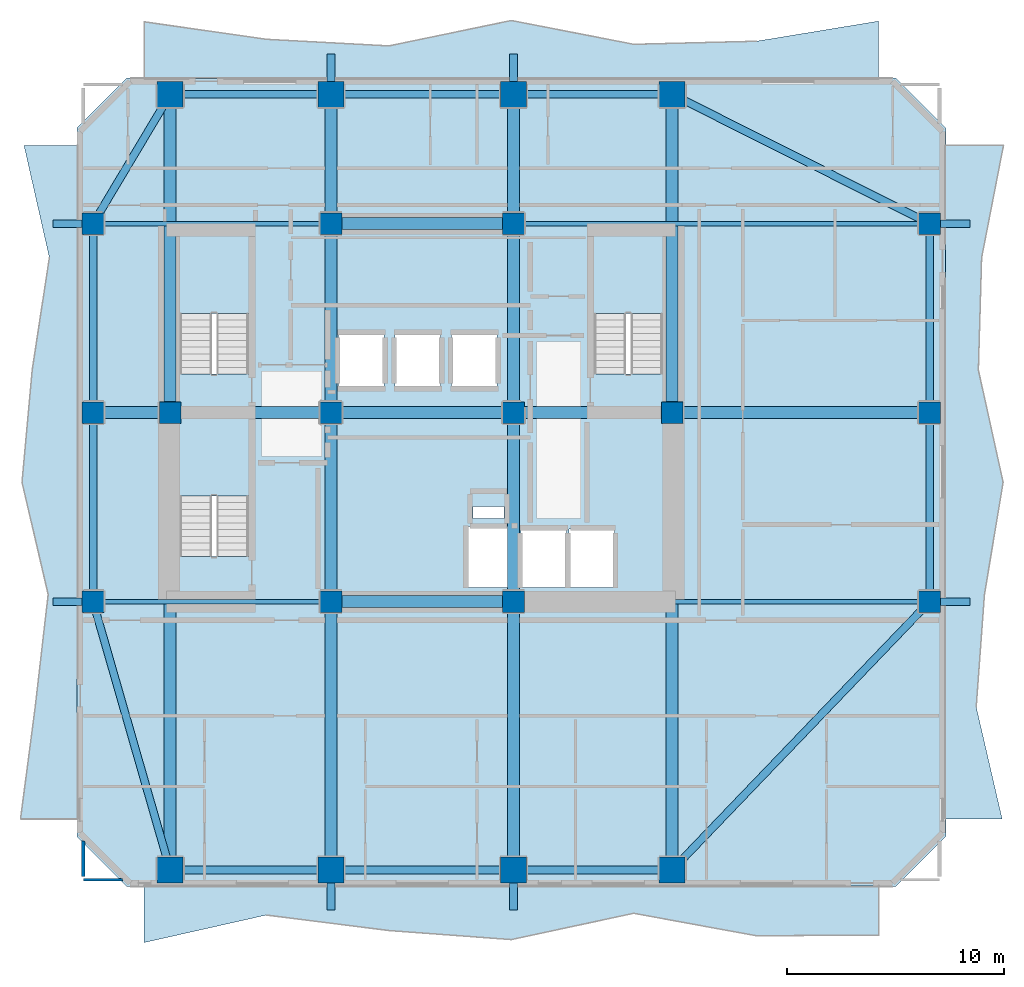
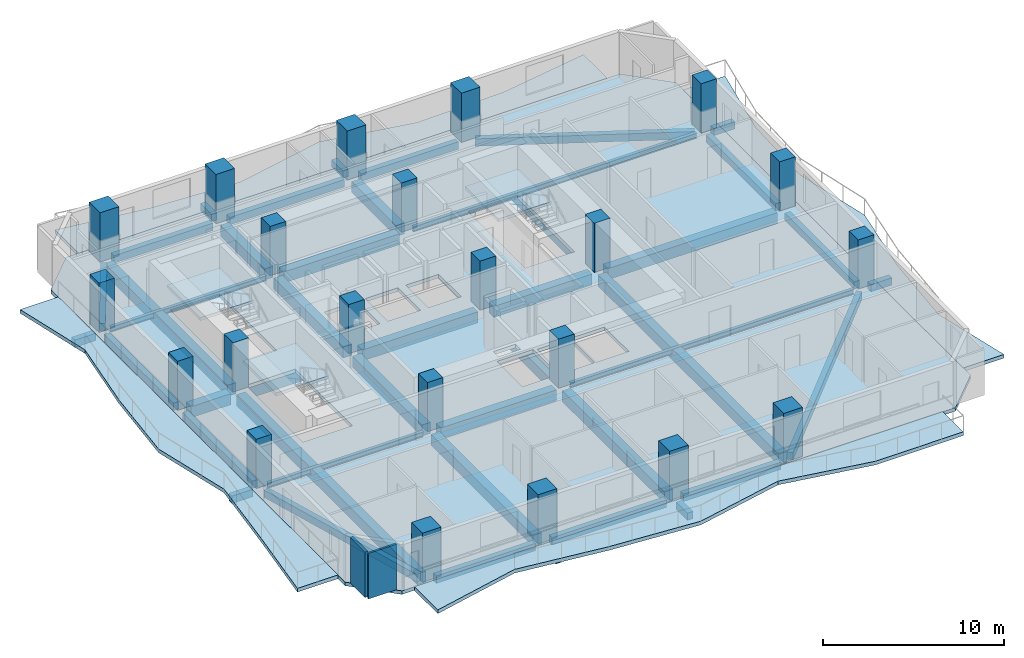
# One storey, part 1 of 9: 45 beams, 22 columns, 8 slabs, 2 walls, 3 elements without a shape of their own.
"""IFC4 building model written with IfcOpenShell, lengths in metres."""

from ifc_helpers import new_model, si_unit, direction, frame, frame_2d, origin, origin_2d, place, context, subcontext, project, spatial, polyline, rectangle, i_section, outline, extrude, material, layer, layer_set, material_profile, profile_set, type_object, element, aggregate, save


model = new_model("IFC4")

# Units and contexts
model_context = context("Model", 3, precision=1e-05, world=origin(), true_north=direction((0.0, 1.0)))
body_context = subcontext(model_context, "Body", "Model", "MODEL_VIEW")
ifc_project = project(units=[si_unit("LENGTHUNIT", "METRE"), si_unit("AREAUNIT", "SQUARE_METRE"), si_unit("VOLUMEUNIT", "CUBIC_METRE"), si_unit("PLANEANGLEUNIT", "RADIAN"), si_unit("MASSUNIT", "GRAM", prefix="KILO")], contexts=[model_context])

# Site, building, storey
site_placement = place(None, origin())
site = spatial("IfcSite", under=ifc_project, at=site_placement, CompositionType="ELEMENT")
building_placement = place(site_placement, origin())
building = spatial("IfcBuilding", under=site, at=building_placement, Name="Solanera Arch Residences", CompositionType="ELEMENT")
storey_placement = place(building_placement, frame((0.0, 0.0, 135.9599609375)))
storey = spatial("IfcBuildingStorey", under=building, at=storey_placement, Name="L39", CompositionType="ELEMENT", Elevation=135.9599609375)

# Columns
ifc_material_1 = material(Name="Concrete C55/67 (f'c = 60 MPa)", Category="concrete")
ifc_material_profile_1 = material_profile(ifc_material_1, rectangle(XDim=1.0, YDim=1.0, at=origin_2d()))
ifc_profile_set_1 = profile_set([ifc_material_profile_1], Name="Concrete C55/67 (f'c = 60 MPa)")
column_type_1 = type_object("IfcColumnType", Name="Structural Column RC-COL-1000X1000", PredefinedType="COLUMN", material=ifc_profile_set_1)
for number, where, z_axis, x_axis, name in (
    (1, (20.800048828125, 22.0, 0.0), (0.0, 0.0, 1.0), (1.0, 0.0, 0.0), "COL-L39-CB-SW"),
    (2, (29.199951171875, 22.0, 0.0), (0.0, 0.0, 1.0), (1.0, 0.0, 0.0), "COL-L39-CB-SE"),
    (3, (20.800048828125, 39.39990234375, 0.0), (0.0, 0.0, 1.0), (1.0, 0.0, 0.0), "COL-L39-CB-NW"),
    (4, (29.199951171875, 39.39990234375, 0.0), (0.0, 0.0, 1.0), (1.0, 0.0, 0.0), "COL-L39-CB-NE"),
    (5, (13.39990234375, 30.699951171875, 0.0), (0.0, 0.0, 1.0), (1.0, 0.0, 0.0), "COL-L39-CB-WW"),
    (6, (36.5, 30.699951171875, 0.0), (0.0, 0.0, 1.0), (1.0, 0.0, 0.0), "COL-L39-CB-EE"),
    (7, (20.800048828125, 30.699951171875, 0.0), (0.0, 0.0, 1.0), (1.0, 0.0, 0.0), "COL-L39-CORE-W"),
    (8, (29.199951171875, 30.699951171875, 0.0), (0.0, 0.0, 1.0), (1.0, 0.0, 0.0), "COL-L39-CORE-E"),
    (9, (9.85009765625, 22.0, 0.0), (0.0, 0.0, 1.0), (1.0, 0.0, 0.0), "COL-L39-TWR-09"),
    (10, (48.35009765625, 22.0, 0.0), (0.0, 0.0, 1.0), (1.0, 0.0, 0.0), "COL-L39-TWR-10"),
    (11, (9.85009765625, 30.699951171875, 0.0), (0.0, 0.0, 1.0), (1.0, 0.0, 0.0), "COL-L39-TWR-11"),
    (12, (48.35009765625, 30.699951171875, 0.0), (0.0, 0.0, 1.0), (1.0, 0.0, 0.0), "COL-L39-TWR-12"),
    (13, (9.85009765625, 39.39990234375, 0.0), (0.0, 0.0, 1.0), (1.0, 0.0, 0.0), "COL-L39-TWR-13"),
    (14, (48.35009765625, 39.39990234375, 0.0), (0.0, 0.0, 1.0), (1.0, 0.0, 0.0), "COL-L39-TWR-14"),
):
    element("IfcColumn", number, at=place(storey_placement, frame(where, z_axis=z_axis, x_axis=x_axis)), inside=storey, type_object=column_type_1, Name=name, PredefinedType="COLUMN", context=body_context, shape_type="SweptSolid", body=[
        extrude(rectangle(XDim=1.0, YDim=1.0, at=origin_2d()), origin(), (0.0, 0.0, 1.0), 3.320068359375),
    ])
ifc_material_2 = material(Name="Concrete C55/67 (f'c = 60 MPa)", Category="concrete")
ifc_material_profile_2 = material_profile(ifc_material_2, rectangle(XDim=1.199951171875, YDim=1.199951171875, at=origin_2d()))
ifc_profile_set_2 = profile_set([ifc_material_profile_2], Name="Concrete C55/67 (f'c = 60 MPa)")
column_type_2 = type_object("IfcColumnType", Name="Structural Column RC-COL-1200X1200", PredefinedType="COLUMN", material=ifc_profile_set_2)
for number, where, z_axis, x_axis, name in (
    (15, (13.39990234375, 9.64990234375, 0.0), (0.0, 0.0, 1.0), (1.0, 0.0, 0.0), "COL-L39-TWR-01"),
    (16, (13.39990234375, 45.35009765625, 0.0), (0.0, 0.0, 1.0), (1.0, 0.0, 0.0), "COL-L39-TWR-02"),
    (17, (20.800048828125, 9.64990234375, 0.0), (0.0, 0.0, 1.0), (1.0, 0.0, 0.0), "COL-L39-TWR-03"),
    (18, (20.800048828125, 45.35009765625, 0.0), (0.0, 0.0, 1.0), (1.0, 0.0, 0.0), "COL-L39-TWR-04"),
    (19, (29.199951171875, 9.64990234375, 0.0), (0.0, 0.0, 1.0), (1.0, 0.0, 0.0), "COL-L39-TWR-05"),
    (20, (29.199951171875, 45.35009765625, 0.0), (0.0, 0.0, 1.0), (1.0, 0.0, 0.0), "COL-L39-TWR-06"),
    (21, (36.5, 9.64990234375, 0.0), (0.0, 0.0, 1.0), (1.0, 0.0, 0.0), "COL-L39-TWR-07"),
    (22, (36.5, 45.35009765625, 0.0), (0.0, 0.0, 1.0), (1.0, 0.0, 0.0), "COL-L39-TWR-08"),
):
    element("IfcColumn", number, at=place(storey_placement, frame(where, z_axis=z_axis, x_axis=x_axis)), inside=storey, type_object=column_type_2, Name=name, PredefinedType="COLUMN", context=body_context, shape_type="SweptSolid", body=[
        extrude(rectangle(XDim=1.199951171875, YDim=1.199951171875, at=origin_2d()), origin(), (0.0, 0.0, 1.0), 3.320068359375),
    ])

# Beams
ifc_material_3 = material(Name="Concrete C40/50 (f'c = 45 MPa)", Category="concrete")
ifc_material_profile_3 = material_profile(ifc_material_3, rectangle(XDim=0.35009765625, YDim=0.5, at=origin_2d()))
ifc_profile_set_3 = profile_set([ifc_material_profile_3], Name="Concrete C40/50 (f'c = 45 MPa)")
beam_type_1 = type_object("IfcBeamType", Name="BM-BALC-RIB", PredefinedType="BEAM", material=ifc_profile_set_3)
for number, where, z_axis, x_axis, name in (
    (23, (20.800048828125, 7.800048828125, -0.5), (0.0, 1.0, 0.0), (-1.0, 0.0, 0.0), "BM-L39-BRIB-S1"),
    (24, (29.199951171875, 7.800048828125, -0.5), (0.0, 1.0, 0.0), (-1.0, 0.0, 0.0), "BM-L39-BRIB-S2"),
    (25, (20.800048828125, 45.949951171875, -0.5), (0.0, 1.0, 0.0), (-1.0, 0.0, 0.0), "BM-L39-BRIB-N1"),
    (26, (29.199951171875, 45.949951171875, -0.5), (0.0, 1.0, 0.0), (-1.0, 0.0, 0.0), "BM-L39-BRIB-N2"),
):
    element("IfcBeam", number, at=place(storey_placement, frame(where, z_axis=z_axis, x_axis=x_axis)), inside=storey, type_object=beam_type_1, Name=name, PredefinedType="BEAM", context=body_context, shape_type="SweptSolid", body=[
        extrude(rectangle(XDim=0.35009765625, YDim=0.5, at=origin_2d()), origin(), (0.0, 0.0, 1.0), 1.25),
    ])
for number, where, z_axis, x_axis, name in (
    (27, (48.85009765625, 22.0, -0.5), (1.0, 0.0, 0.0), (0.0, 1.0, 0.0), "BM-L39-BRIB-E1"),
    (28, (48.85009765625, 39.39990234375, -0.5), (1.0, 0.0, 0.0), (0.0, 1.0, 0.0), "BM-L39-BRIB-E2"),
):
    element("IfcBeam", number, at=place(storey_placement, frame(where, z_axis=z_axis, x_axis=x_axis)), inside=storey, type_object=beam_type_1, Name=name, PredefinedType="BEAM", context=body_context, shape_type="SweptSolid", body=[
        extrude(rectangle(XDim=0.35009765625, YDim=0.5, at=origin_2d()), origin(), (0.0, 0.0, 1.0), 1.349853515625),
    ])
for number, where, z_axis, x_axis, name in (
    (29, (8.0, 22.0, -0.5), (1.0, 0.0, 0.0), (0.0, 1.0, 0.0), "BM-L39-BRIB-W1"),
    (30, (8.0, 39.39990234375, -0.5), (1.0, 0.0, 0.0), (0.0, 1.0, 0.0), "BM-L39-BRIB-W2"),
):
    element("IfcBeam", number, at=place(storey_placement, frame(where, z_axis=z_axis, x_axis=x_axis)), inside=storey, type_object=beam_type_1, Name=name, PredefinedType="BEAM", context=body_context, shape_type="SweptSolid", body=[
        extrude(rectangle(XDim=0.35009765625, YDim=0.5, at=origin_2d()), origin(), (0.0, 0.0, 1.0), 1.35009765625),
    ])
ifc_material_4 = material(Name="Concrete C40/50 (f'c = 45 MPa)", Category="concrete")
ifc_material_profile_4 = material_profile(ifc_material_4, rectangle(XDim=0.550048828125, YDim=0.75, at=origin_2d()))
ifc_profile_set_4 = profile_set([ifc_material_profile_4], Name="Concrete C40/50 (f'c = 45 MPa)")
beam_type_2 = type_object("IfcBeamType", Name="Primary Beam RC-BM-550X750", PredefinedType="BEAM", material=ifc_profile_set_4)
beam_1_placement = place(storey_placement, frame((20.800048828125, 22.50390625, -0.614990234375), z_axis=(0.0, 1.0, 0.0), x_axis=(-1.0, 0.0, 0.0)))
element("IfcBeam", 31, at=beam_1_placement, inside=storey, type_object=beam_type_2, Name="BM-L39-CC-S-208", PredefinedType="BEAM", context=body_context, shape_type="SweptSolid", body=[
    extrude(rectangle(XDim=0.550048828125, YDim=0.75, at=origin_2d()), origin(), (0.0, 0.0, 1.0), 7.692138671875),
])
beam_2_placement = place(storey_placement, frame((20.800048828125, 31.2041015625, -0.614990234375), z_axis=(0.0, 1.0, 0.0), x_axis=(-1.0, 0.0, 0.0)))
element("IfcBeam", 32, at=beam_2_placement, inside=storey, type_object=beam_type_2, Name="BM-L39-CC-N-208", PredefinedType="BEAM", context=body_context, shape_type="SweptSolid", body=[
    extrude(rectangle(XDim=0.550048828125, YDim=0.75, at=origin_2d()), origin(), (0.0, 0.0, 1.0), 7.69189453125),
])
beam_3_placement = place(storey_placement, frame((29.199951171875, 22.50390625, -0.614990234375), z_axis=(0.0, 1.0, 0.0), x_axis=(-1.0, 0.0, 0.0)))
element("IfcBeam", 33, at=beam_3_placement, inside=storey, type_object=beam_type_2, Name="BM-L39-CC-S-292", PredefinedType="BEAM", context=body_context, shape_type="SweptSolid", body=[
    extrude(rectangle(XDim=0.550048828125, YDim=0.75, at=origin_2d()), origin(), (0.0, 0.0, 1.0), 7.692138671875),
])
beam_4_placement = place(storey_placement, frame((29.199951171875, 31.2041015625, -0.614990234375), z_axis=(0.0, 1.0, 0.0), x_axis=(-1.0, 0.0, 0.0)))
element("IfcBeam", 34, at=beam_4_placement, inside=storey, type_object=beam_type_2, Name="BM-L39-CC-N-292", PredefinedType="BEAM", context=body_context, shape_type="SweptSolid", body=[
    extrude(rectangle(XDim=0.550048828125, YDim=0.75, at=origin_2d()), origin(), (0.0, 0.0, 1.0), 7.69189453125),
])
for number, where, z_axis, x_axis, name in (
    (35, (21.303955078125, 22.0, -0.614990234375), (1.0, 0.0, 0.0), (0.0, 1.0, 0.0), "BM-L39-CC-M-220"),
    (36, (21.303955078125, 30.699951171875, -0.614990234375), (1.0, 0.0, 0.0), (0.0, 1.0, 0.0), "BM-L39-CC-M-307"),
    (37, (21.303955078125, 39.39990234375, -0.614990234375), (1.0, 0.0, 0.0), (0.0, 1.0, 0.0), "BM-L39-CC-M-394"),
):
    element("IfcBeam", number, at=place(storey_placement, frame(where, z_axis=z_axis, x_axis=x_axis)), inside=storey, type_object=beam_type_2, Name=name, PredefinedType="BEAM", context=body_context, shape_type="SweptSolid", body=[
        extrude(rectangle(XDim=0.550048828125, YDim=0.75, at=origin_2d()), origin(), (0.0, 0.0, 1.0), 7.39208984375),
    ])
beam_5_placement = place(storey_placement, frame((13.904052734375, 30.699951171875, -0.614990234375), z_axis=(1.0, 0.0, 0.0), x_axis=(0.0, 1.0, 0.0)))
element("IfcBeam", 38, at=beam_5_placement, inside=storey, type_object=beam_type_2, Name="BM-L39-CC-W", PredefinedType="BEAM", context=body_context, shape_type="SweptSolid", body=[
    extrude(rectangle(XDim=0.550048828125, YDim=0.75, at=origin_2d()), origin(), (0.0, 0.0, 1.0), 6.391845703125),
])
beam_6_placement = place(storey_placement, frame((29.7041015625, 30.699951171875, -0.614990234375), z_axis=(1.0, 0.0, 0.0), x_axis=(0.0, 1.0, 0.0)))
element("IfcBeam", 39, at=beam_6_placement, inside=storey, type_object=beam_type_2, Name="BM-L39-CC-E", PredefinedType="BEAM", context=body_context, shape_type="SweptSolid", body=[
    extrude(rectangle(XDim=0.550048828125, YDim=0.75, at=origin_2d()), origin(), (0.0, 0.0, 1.0), 6.2919921875),
])
beam_7_placement = place(storey_placement, frame((20.800048828125, 10.18994140625, -0.614990234375), z_axis=(0.0, 1.0, 0.0), x_axis=(-1.0, 0.0, 0.0)))
element("IfcBeam", 40, at=beam_7_placement, inside=storey, type_object=beam_type_2, Name="BM-L39-RAD-S-208", PredefinedType="BEAM", context=body_context, shape_type="SweptSolid", body=[
    extrude(rectangle(XDim=0.550048828125, YDim=0.75, at=origin_2d()), origin(), (0.0, 0.0, 1.0), 11.30615234375),
])
beam_8_placement = place(storey_placement, frame((20.800048828125, 39.904052734375, -0.614990234375), z_axis=(0.0, 1.0, 0.0), x_axis=(-1.0, 0.0, 0.0)))
element("IfcBeam", 41, at=beam_8_placement, inside=storey, type_object=beam_type_2, Name="BM-L39-RAD-N-208", PredefinedType="BEAM", context=body_context, shape_type="SweptSolid", body=[
    extrude(rectangle(XDim=0.550048828125, YDim=0.75, at=origin_2d()), origin(), (0.0, 0.0, 1.0), 4.906005859375),
])
beam_9_placement = place(storey_placement, frame((29.199951171875, 10.18994140625, -0.614990234375), z_axis=(0.0, 1.0, 0.0), x_axis=(-1.0, 0.0, 0.0)))
element("IfcBeam", 42, at=beam_9_placement, inside=storey, type_object=beam_type_2, Name="BM-L39-RAD-S-292", PredefinedType="BEAM", context=body_context, shape_type="SweptSolid", body=[
    extrude(rectangle(XDim=0.550048828125, YDim=0.75, at=origin_2d()), origin(), (0.0, 0.0, 1.0), 11.30615234375),
])
beam_10_placement = place(storey_placement, frame((29.199951171875, 39.904052734375, -0.614990234375), z_axis=(0.0, 1.0, 0.0), x_axis=(-1.0, 0.0, 0.0)))
element("IfcBeam", 43, at=beam_10_placement, inside=storey, type_object=beam_type_2, Name="BM-L39-RAD-N-292", PredefinedType="BEAM", context=body_context, shape_type="SweptSolid", body=[
    extrude(rectangle(XDim=0.550048828125, YDim=0.75, at=origin_2d()), origin(), (0.0, 0.0, 1.0), 4.906005859375),
])
beam_11_placement = place(storey_placement, frame((13.39990234375, 10.18994140625, -0.614990234375), z_axis=(0.0, 1.0, 0.0), x_axis=(-1.0, 0.0, 0.0)))
element("IfcBeam", 44, at=beam_11_placement, inside=storey, type_object=beam_type_2, Name="BM-L39-RAD-OS-134", PredefinedType="BEAM", context=body_context, shape_type="SweptSolid", body=[
    extrude(rectangle(XDim=0.550048828125, YDim=0.75, at=origin_2d()), origin(), (0.0, 0.0, 1.0), 20.006103515625),
])
beam_12_placement = place(storey_placement, frame((13.39990234375, 31.2041015625, -0.614990234375), z_axis=(0.0, 1.0, 0.0), x_axis=(-1.0, 0.0, 0.0)))
element("IfcBeam", 45, at=beam_12_placement, inside=storey, type_object=beam_type_2, Name="BM-L39-RAD-ON-134", PredefinedType="BEAM", context=body_context, shape_type="SweptSolid", body=[
    extrude(rectangle(XDim=0.550048828125, YDim=0.75, at=origin_2d()), origin(), (0.0, 0.0, 1.0), 13.60595703125),
])
beam_13_placement = place(storey_placement, frame((36.5, 10.18994140625, -0.614990234375), z_axis=(0.0, 1.0, 0.0), x_axis=(-1.0, 0.0, 0.0)))
element("IfcBeam", 46, at=beam_13_placement, inside=storey, type_object=beam_type_2, Name="BM-L39-RAD-OS-365", PredefinedType="BEAM", context=body_context, shape_type="SweptSolid", body=[
    extrude(rectangle(XDim=0.550048828125, YDim=0.75, at=origin_2d()), origin(), (0.0, 0.0, 1.0), 20.006103515625),
])
beam_14_placement = place(storey_placement, frame((36.5, 31.2041015625, -0.614990234375), z_axis=(0.0, 1.0, 0.0), x_axis=(-1.0, 0.0, 0.0)))
element("IfcBeam", 47, at=beam_14_placement, inside=storey, type_object=beam_type_2, Name="BM-L39-RAD-ON-365", PredefinedType="BEAM", context=body_context, shape_type="SweptSolid", body=[
    extrude(rectangle(XDim=0.550048828125, YDim=0.75, at=origin_2d()), origin(), (0.0, 0.0, 1.0), 13.60595703125),
])
beam_15_placement = place(storey_placement, frame((10.35400390625, 30.699951171875, -0.614990234375), z_axis=(1.0, 0.0, 0.0), x_axis=(0.0, 1.0, 0.0)))
element("IfcBeam", 48, at=beam_15_placement, inside=storey, type_object=beam_type_2, Name="BM-L39-RAD-MW", PredefinedType="BEAM", context=body_context, shape_type="SweptSolid", body=[
    extrude(rectangle(XDim=0.550048828125, YDim=0.75, at=origin_2d()), origin(), (0.0, 0.0, 1.0), 2.5419921875),
])
beam_16_placement = place(storey_placement, frame((37.00390625, 30.699951171875, -0.614990234375), z_axis=(1.0, 0.0, 0.0), x_axis=(0.0, 1.0, 0.0)))
element("IfcBeam", 49, at=beam_16_placement, inside=storey, type_object=beam_type_2, Name="BM-L39-RAD-ME", PredefinedType="BEAM", context=body_context, shape_type="SweptSolid", body=[
    extrude(rectangle(XDim=0.550048828125, YDim=0.75, at=origin_2d()), origin(), (0.0, 0.0, 1.0), 10.842041015625),
])
ifc_material_5 = material(Name="Steel S355 (ASTM A992 / A572 Grade 50)", Category="steel")
ifc_material_profile_5 = material_profile(ifc_material_5, i_section(OverallWidth=0.205078125, OverallDepth=0.35400390625, WebThickness=0.009521484375, FlangeThickness=0.016845703125, at=origin_2d()))
ifc_profile_set_5 = profile_set([ifc_material_profile_5], Name="Steel S355 (ASTM A992 / A572 Grade 50)")
beam_type_3 = type_object("IfcBeamType", Name="Secondary Joist W360X79", PredefinedType="JOIST", material=ifc_profile_set_5)
beam_17_placement = place(storey_placement, frame((10.35400390625, 22.0, -0.4169921875), z_axis=(1.0, 0.0, 0.0), x_axis=(0.0, 1.0, 0.0)))
element("IfcBeam", 50, at=beam_17_placement, inside=storey, type_object=beam_type_3, Name="BM-L39-RAD-W-220", PredefinedType="JOIST", context=body_context, shape_type="SweptSolid", body=[
    extrude(i_section(OverallWidth=0.205078125, OverallDepth=0.35400390625, WebThickness=0.009521484375, FlangeThickness=0.016845703125, at=origin_2d()), origin(), (0.0, 0.0, 1.0), 9.94189453125),
])
beam_18_placement = place(storey_placement, frame((29.7041015625, 22.0, -0.4169921875), z_axis=(1.0, 0.0, 0.0), x_axis=(0.0, 1.0, 0.0)))
element("IfcBeam", 51, at=beam_18_placement, inside=storey, type_object=beam_type_3, Name="BM-L39-RAD-E-220", PredefinedType="JOIST", context=body_context, shape_type="SweptSolid", body=[
    extrude(i_section(OverallWidth=0.205078125, OverallDepth=0.35400390625, WebThickness=0.009521484375, FlangeThickness=0.016845703125, at=origin_2d()), origin(), (0.0, 0.0, 1.0), 18.141845703125),
])
beam_19_placement = place(storey_placement, frame((10.35400390625, 39.39990234375, -0.4169921875), z_axis=(1.0, 0.0, 0.0), x_axis=(0.0, 1.0, 0.0)))
element("IfcBeam", 52, at=beam_19_placement, inside=storey, type_object=beam_type_3, Name="BM-L39-RAD-W-394", PredefinedType="JOIST", context=body_context, shape_type="SweptSolid", body=[
    extrude(i_section(OverallWidth=0.205078125, OverallDepth=0.35400390625, WebThickness=0.009521484375, FlangeThickness=0.016845703125, at=origin_2d()), origin(), (0.0, 0.0, 1.0), 9.94189453125),
])
beam_20_placement = place(storey_placement, frame((29.7041015625, 39.39990234375, -0.4169921875), z_axis=(1.0, 0.0, 0.0), x_axis=(0.0, 1.0, 0.0)))
element("IfcBeam", 53, at=beam_20_placement, inside=storey, type_object=beam_type_3, Name="BM-L39-RAD-E-394", PredefinedType="JOIST", context=body_context, shape_type="SweptSolid", body=[
    extrude(i_section(OverallWidth=0.205078125, OverallDepth=0.35400390625, WebThickness=0.009521484375, FlangeThickness=0.016845703125, at=origin_2d()), origin(), (0.0, 0.0, 1.0), 18.141845703125),
])
ifc_material_6 = material(Name="Concrete C40/50 (f'c = 45 MPa)", Category="concrete")
ifc_material_profile_6 = material_profile(ifc_material_6, rectangle(XDim=0.35009765625, YDim=0.5, at=origin_2d()))
ifc_profile_set_6 = profile_set([ifc_material_profile_6], Name="Concrete C40/50 (f'c = 45 MPa)")
beam_type_4 = type_object("IfcBeamType", Name="Spandrel Beam RC-BM-350X500", PredefinedType="SPANDREL", material=ifc_profile_set_6)
for number, where, z_axis, x_axis, name in (
    (54, (13.93994140625, 9.64990234375, -0.489990234375), (1.0, 0.0, 0.0), (0.0, 1.0, 0.0), "BM-L39-SPN-S-1"),
    (55, (13.93994140625, 45.35009765625, -0.489990234375), (1.0, 0.0, 0.0), (0.0, 1.0, 0.0), "BM-L39-SPN-N-1"),
):
    element("IfcBeam", number, at=place(storey_placement, frame(where, z_axis=z_axis, x_axis=x_axis)), inside=storey, type_object=beam_type_4, Name=name, PredefinedType="SPANDREL", context=body_context, shape_type="SweptSolid", body=[
        extrude(rectangle(XDim=0.35009765625, YDim=0.5, at=origin_2d()), origin(), (0.0, 0.0, 1.0), 6.320068359375),
    ])
for number, where, z_axis, x_axis, name in (
    (56, (21.340087890625, 9.64990234375, -0.489990234375), (1.0, 0.0, 0.0), (0.0, 1.0, 0.0), "BM-L39-SPN-S-2"),
    (57, (21.340087890625, 45.35009765625, -0.489990234375), (1.0, 0.0, 0.0), (0.0, 1.0, 0.0), "BM-L39-SPN-N-2"),
):
    element("IfcBeam", number, at=place(storey_placement, frame(where, z_axis=z_axis, x_axis=x_axis)), inside=storey, type_object=beam_type_4, Name=name, PredefinedType="SPANDREL", context=body_context, shape_type="SweptSolid", body=[
        extrude(rectangle(XDim=0.35009765625, YDim=0.5, at=origin_2d()), origin(), (0.0, 0.0, 1.0), 7.31982421875),
    ])
for number, where, z_axis, x_axis, name in (
    (58, (29.739990234375, 9.64990234375, -0.489990234375), (1.0, 0.0, 0.0), (0.0, 1.0, 0.0), "BM-L39-SPN-S-3"),
    (59, (29.739990234375, 45.35009765625, -0.489990234375), (1.0, 0.0, 0.0), (0.0, 1.0, 0.0), "BM-L39-SPN-N-3"),
):
    element("IfcBeam", number, at=place(storey_placement, frame(where, z_axis=z_axis, x_axis=x_axis)), inside=storey, type_object=beam_type_4, Name=name, PredefinedType="SPANDREL", context=body_context, shape_type="SweptSolid", body=[
        extrude(rectangle(XDim=0.35009765625, YDim=0.5, at=origin_2d()), origin(), (0.0, 0.0, 1.0), 6.219970703125),
    ])
for number, where, z_axis, x_axis, name in (
    (60, (9.85009765625, 22.50390625, -0.489990234375), (0.0, 1.0, 0.0), (-1.0, 0.0, 0.0), "BM-L39-SPN-W-1"),
    (61, (48.35009765625, 22.50390625, -0.489990234375), (0.0, 1.0, 0.0), (-1.0, 0.0, 0.0), "BM-L39-SPN-E-1"),
):
    element("IfcBeam", number, at=place(storey_placement, frame(where, z_axis=z_axis, x_axis=x_axis)), inside=storey, type_object=beam_type_4, Name=name, PredefinedType="SPANDREL", context=body_context, shape_type="SweptSolid", body=[
        extrude(rectangle(XDim=0.35009765625, YDim=0.5, at=origin_2d()), origin(), (0.0, 0.0, 1.0), 7.692138671875),
    ])
for number, where, z_axis, x_axis, name in (
    (62, (9.85009765625, 31.2041015625, -0.489990234375), (0.0, 1.0, 0.0), (-1.0, 0.0, 0.0), "BM-L39-SPN-W-2"),
    (63, (48.35009765625, 31.2041015625, -0.489990234375), (0.0, 1.0, 0.0), (-1.0, 0.0, 0.0), "BM-L39-SPN-E-2"),
):
    element("IfcBeam", number, at=place(storey_placement, frame(where, z_axis=z_axis, x_axis=x_axis)), inside=storey, type_object=beam_type_4, Name=name, PredefinedType="SPANDREL", context=body_context, shape_type="SweptSolid", body=[
        extrude(rectangle(XDim=0.35009765625, YDim=0.5, at=origin_2d()), origin(), (0.0, 0.0, 1.0), 7.69189453125),
    ])
beam_21_placement = place(storey_placement, frame((13.2509765625, 10.1689453125, -0.489990234375), z_axis=(-0.276252894432, 0.961084979759, 0.0), x_axis=(-0.961084979759, -0.276252894432, 0.0)))
element("IfcBeam", 64, at=beam_21_placement, inside=storey, type_object=beam_type_4, Name="BM-L39-SPN-SW", PredefinedType="SPANDREL", context=body_context, shape_type="SweptSolid", body=[
    extrude(rectangle(XDim=0.35009765625, YDim=0.5, at=origin_2d()), origin(), (0.0, 0.0, 1.0), 11.785888671875),
])
beam_22_placement = place(storey_placement, frame((13.123046875, 44.885986328125, -0.489990234375), z_axis=(-0.512345287807, -0.858779544506, 0.0), x_axis=(0.858779544506, -0.512345287807, 0.0)))
element("IfcBeam", 65, at=beam_22_placement, inside=storey, type_object=beam_type_4, Name="BM-L39-SPN-NW", PredefinedType="SPANDREL", context=body_context, shape_type="SweptSolid", body=[
    extrude(rectangle(XDim=0.35009765625, YDim=0.5, at=origin_2d()), origin(), (0.0, 0.0, 1.0), 5.847900390625),
])
beam_23_placement = place(storey_placement, frame((36.8740234375, 10.0400390625, -0.489990234375), z_axis=(0.692362566924, 0.721549773697, 0.0), x_axis=(-0.721549773697, 0.692362566924, 0.0)))
element("IfcBeam", 66, at=beam_23_placement, inside=storey, type_object=beam_type_4, Name="BM-L39-SPN-SE", PredefinedType="SPANDREL", context=body_context, shape_type="SweptSolid", body=[
    extrude(rectangle(XDim=0.35009765625, YDim=0.5, at=origin_2d()), origin(), (0.0, 0.0, 1.0), 16.034912109375),
])
beam_24_placement = place(storey_placement, frame((36.98291015625, 45.10791015625, -0.489990234375), z_axis=(0.893644053725, -0.448776453529, 0.0), x_axis=(0.448776453529, 0.893644053725, 0.0)))
element("IfcBeam", 67, at=beam_24_placement, inside=storey, type_object=beam_type_4, Name="BM-L39-SPN-NE", PredefinedType="SPANDREL", context=body_context, shape_type="SweptSolid", body=[
    extrude(rectangle(XDim=0.35009765625, YDim=0.5, at=origin_2d()), origin(), (0.0, 0.0, 1.0), 12.179443359375),
])

# Slabs
ifc_material_7 = material(Name="Concrete C40/50 (f'c = 45 MPa)", Category="concrete")
ifc_layer_1 = layer(ifc_material_7, 0.25)
ifc_layer_set_1 = layer_set([ifc_layer_1], Name="Concrete C40/50 (f'c = 45 MPa)")
slab_type_1 = type_object("IfcSlabType", Name="Balcony Slab 250", PredefinedType="FLOOR", material=ifc_layer_set_1)
slab_1_placement = place(storey_placement, frame((0.0, 0.0, -0.25)))
element("IfcSlab", 68, at=slab_1_placement, inside=storey, type_object=slab_type_1, Name="L39 S Rippling Brise-Soleil Balcony Slab", PredefinedType="FLOOR", context=body_context, shape_type="SweptSolid", body=[
    extrude(outline(polyline([(12.199951171875, 6.31103515625), (17.8330078125, 7.5791015625), (23.467041015625, 6.866943359375), (29.10009765625, 6.450927734375), (34.73291015625, 7.660888671875), (40.366943359375, 6.62890625), (46.0, 6.654052734375), (46.0, 8.919921875), (12.199951171875, 8.919921875), (12.199951171875, 6.31103515625)])), origin(), (0.0, 0.0, 1.0), 0.25),
])
slab_2_placement = place(storey_placement, frame((0.0, 0.0, -0.25)))
element("IfcSlab", 69, at=slab_2_placement, inside=storey, type_object=slab_type_1, Name="L39 N Rippling Brise-Soleil Balcony Slab", PredefinedType="FLOOR", context=body_context, shape_type="SweptSolid", body=[
    extrude(outline(polyline([(46.0, 48.720947265625), (40.366943359375, 47.7939453125), (34.73291015625, 47.653076171875), (29.10009765625, 48.748046875), (23.467041015625, 47.5791015625), (17.8330078125, 47.883056640625), (12.199951171875, 48.68896484375), (12.199951171875, 46.080078125), (46.0, 46.080078125), (46.0, 48.720947265625)])), origin(), (0.0, 0.0, 1.0), 0.25),
])
slab_3_placement = place(storey_placement, frame((0.0, 0.0, -0.25)))
element("IfcSlab", 70, at=slab_3_placement, inside=storey, type_object=slab_type_1, Name="L39 E Rippling Brise-Soleil Balcony Slab", PredefinedType="FLOOR", context=body_context, shape_type="SweptSolid", body=[
    extrude(outline(polyline([(51.68896484375, 12.0), (50.493896484375, 17.1669921875), (50.8740234375, 22.3330078125), (51.73193359375, 27.5), (50.593017578125, 32.6669921875), (50.742919921875, 37.8330078125), (51.75, 43.0), (49.080078125, 43.0), (49.080078125, 12.0), (51.68896484375, 12.0)])), origin(), (0.0, 0.0, 1.0), 0.25),
])
slab_4_placement = place(storey_placement, frame((0.0, 0.0, -0.25)))
element("IfcSlab", 71, at=slab_4_placement, inside=storey, type_object=slab_type_1, Name="L39 W Rippling Brise-Soleil Balcony Slab", PredefinedType="FLOOR", context=body_context, shape_type="SweptSolid", body=[
    extrude(outline(polyline([(6.6708984375, 43.0), (7.837890625, 37.8330078125), (7.049072265625, 32.6669921875), (6.580078125, 27.5), (7.783935546875, 22.3330078125), (7.18798828125, 17.1669921875), (6.510986328125, 12.0), (9.1201171875, 12.0), (9.1201171875, 43.0), (6.6708984375, 43.0)])), origin(), (0.0, 0.0, 1.0), 0.25),
])

# Stair, slab
ifc_material_8 = material(Name="Concrete C40/50 (f'c = 45 MPa)", Category="concrete")
stair_type = type_object("IfcStairType", Name="Tower Dogleg Exit Stair 1480", PredefinedType="HALF_TURN_STAIR", material=ifc_material_8)
stair_1_placement = place(storey_placement, origin())
stair_1 = element("IfcStair", 72, at=stair_1_placement, inside=storey, type_object=stair_type, Name="L39 Tower Core Exit Stair 1", PredefinedType="HALF_TURN_STAIR")
ifc_material_9 = material(Name="Concrete C40/50 (f'c = 45 MPa)", Category="concrete")
ifc_layer_2 = layer(ifc_material_9, 0.199951171875)
ifc_layer_set_2 = layer_set([ifc_layer_2], Name="Concrete C40/50 (f'c = 45 MPa)")
slab_type_2 = type_object("IfcSlabType", Name="Stair Half-Landing Slab 200", PredefinedType="LANDING", material=ifc_layer_set_2)
slab_5_placement = place(storey_placement, frame((0.0, 0.0, 1.4599609375)))
slab_5 = element("IfcSlab", 73, at=slab_5_placement, type_object=slab_type_2, Name="ST-T1 landing 1", PredefinedType="LANDING", context=body_context, shape_type="SweptSolid", body=[
    extrude(outline(polyline([(17.1201171875, 35.260009765625), (17.1201171875, 38.919921875), (13.719970703125, 38.919921875), (13.719970703125, 35.260009765625), (17.1201171875, 35.260009765625)])), origin(), (0.0, 0.0, 1.0), 0.2001953125),
])
aggregate(stair_1, [slab_5])

stair_2_placement = place(storey_placement, origin())
stair_2 = element("IfcStair", 74, at=stair_2_placement, inside=storey, type_object=stair_type, Name="L39 Tower Core Exit Stair 2", PredefinedType="HALF_TURN_STAIR")
slab_6_placement = place(storey_placement, frame((0.0, 0.0, 1.4599609375)))
slab_6 = element("IfcSlab", 75, at=slab_6_placement, type_object=slab_type_2, Name="ST-T2 landing 1", PredefinedType="LANDING", context=body_context, shape_type="SweptSolid", body=[
    extrude(outline(polyline([(36.179931640625, 35.260009765625), (36.179931640625, 38.919921875), (32.780029296875, 38.919921875), (32.780029296875, 35.260009765625), (36.179931640625, 35.260009765625)])), origin(), (0.0, 0.0, 1.0), 0.2001953125),
])
aggregate(stair_2, [slab_6])

stair_3_placement = place(storey_placement, origin())
stair_3 = element("IfcStair", 76, at=stair_3_placement, inside=storey, type_object=stair_type, Name="L39 Tower Core Exit Stair 3", PredefinedType="HALF_TURN_STAIR")
slab_7_placement = place(storey_placement, frame((0.0, 0.0, 1.4599609375)))
slab_7 = element("IfcSlab", 77, at=slab_7_placement, type_object=slab_type_2, Name="ST-T3 landing 1", PredefinedType="LANDING", context=body_context, shape_type="SweptSolid", body=[
    extrude(outline(polyline([(17.1201171875, 26.860107421875), (17.1201171875, 30.52001953125), (13.719970703125, 30.52001953125), (13.719970703125, 26.860107421875), (17.1201171875, 26.860107421875)])), origin(), (0.0, 0.0, 1.0), 0.2001953125),
])
aggregate(stair_3, [slab_7])

# Slab
ifc_material_10 = material(Name="Concrete C40/50 (f'c = 45 MPa)", Category="concrete")
ifc_layer_3 = layer(ifc_material_10, 0.239990234375)
ifc_layer_set_3 = layer_set([ifc_layer_3], Name="Concrete C40/50 (f'c = 45 MPa)")
slab_type_3 = type_object("IfcSlabType", Name="Suspended Floor Slab Post-Tensioned 240", PredefinedType="FLOOR", material=ifc_layer_set_3)
slab_8_placement = place(storey_placement, frame((0.0, 0.0, -0.239990234375)))
element("IfcSlab", 78, at=slab_8_placement, inside=storey, type_object=slab_type_3, Name="L39 Tower Post-Tensioned Floor Slab", PredefinedType="FLOOR", context=body_context, shape_type="SweptSolid", body=[
    extrude(outline(polyline([(11.39990234375, 8.89990234375), (46.800048828125, 8.89990234375), (49.10009765625, 11.199951171875), (49.10009765625, 43.800048828125), (46.800048828125, 46.10009765625), (11.39990234375, 46.10009765625), (9.10009765625, 43.800048828125), (9.10009765625, 11.199951171875), (11.39990234375, 8.89990234375)]), holes=[polyline([(13.840087890625, 32.48291015625), (13.840087890625, 38.800048828125), (17.0, 38.800048828125), (17.0, 32.48291015625), (13.840087890625, 32.48291015625)]), polyline([(32.89990234375, 32.48291015625), (32.89990234375, 38.800048828125), (36.06005859375, 38.800048828125), (36.06005859375, 32.48291015625), (32.89990234375, 32.48291015625)]), polyline([(13.840087890625, 24.0830078125), (13.840087890625, 30.39990234375), (17.0, 30.39990234375), (17.0, 24.0830078125), (13.840087890625, 24.0830078125)]), polyline([(21.14990234375, 34.35009765625), (23.25, 34.35009765625), (23.25, 31.85009765625), (21.14990234375, 31.85009765625), (21.14990234375, 34.35009765625)]), polyline([(23.75, 34.35009765625), (25.85009765625, 34.35009765625), (25.85009765625, 31.85009765625), (23.75, 31.85009765625), (23.75, 34.35009765625)]), polyline([(26.35009765625, 34.35009765625), (28.449951171875, 34.35009765625), (28.449951171875, 31.85009765625), (26.35009765625, 31.85009765625), (26.35009765625, 34.35009765625)]), polyline([(29.550048828125, 25.35009765625), (31.64990234375, 25.35009765625), (31.64990234375, 22.64990234375), (29.550048828125, 22.64990234375), (29.550048828125, 25.35009765625)]), polyline([(31.75, 25.35009765625), (33.85009765625, 25.35009765625), (33.85009765625, 22.64990234375), (31.75, 22.64990234375), (31.75, 25.35009765625)]), polyline([(27.050048828125, 25.449951171875), (29.35009765625, 25.449951171875), (29.35009765625, 22.64990234375), (27.050048828125, 22.64990234375), (27.050048828125, 25.449951171875)]), polyline([(27.340087890625, 26.3798828125), (28.760009765625, 26.3798828125), (28.760009765625, 25.820068359375), (27.340087890625, 25.820068359375), (27.340087890625, 26.3798828125)])]), origin(), (0.0, 0.0, 1.0), 0.239990234375),
])

# Walls
ifc_material_11 = material(Name="Autoclaved Aerated Concrete Blockwork", Category="masonry")
ifc_layer_4 = layer(ifc_material_11, 0.179931640625)
ifc_layer_set_4 = layer_set([ifc_layer_4], Name="Autoclaved Aerated Concrete Blockwork")
wall_type_1 = type_object("IfcWallType", Name="Corridor Fire Partition 180", PredefinedType="PARTITIONING", material=ifc_layer_set_4)
wall_1_placement = place(storey_placement, frame((9.39990234375, 9.35791015625, 0.0), z_axis=(0.0, 0.0, 1.0), x_axis=(0.0, 1.0, 0.0)))
element("IfcWall", 79, at=wall_1_placement, inside=storey, type_object=wall_type_1, Name="L39 Interior Partition V7 1", PredefinedType="PARTITIONING", context=body_context, shape_type="SweptSolid", body=[
    extrude(rectangle(XDim=1.63720703125, YDim=0.179931640625, at=frame_2d((0.818603515625, 0.0))), origin(), (0.0, 0.0, 1.0), 3.080078125),
])
ifc_material_12 = material(Name="Fire-Rated Gypsum Stud Partition", Category="gypsum")
ifc_layer_5 = layer(ifc_material_12, 0.1201171875)
ifc_layer_set_5 = layer_set([ifc_layer_5], Name="Fire-Rated Gypsum Stud Partition")
wall_type_2 = type_object("IfcWallType", Name="Unit Drywall Partition 120", PredefinedType="PARTITIONING", material=ifc_layer_set_5)
wall_2_placement = place(storey_placement, frame((9.39990234375, 9.199951171875, 0.0), z_axis=(0.0, 0.0, 1.0), x_axis=(1.0, 0.0, 0.0)))
element("IfcWall", 80, at=wall_2_placement, inside=storey, type_object=wall_type_2, Name="L39 Interior Partition H19 1", PredefinedType="PARTITIONING", context=body_context, shape_type="SweptSolid", body=[
    extrude(rectangle(XDim=1.795166015625, YDim=0.1201171875, at=frame_2d((0.8974609375, 0.0))), origin(), (0.0, 0.0, 1.0), 3.080078125),
])

save(model, "model.ifc")
